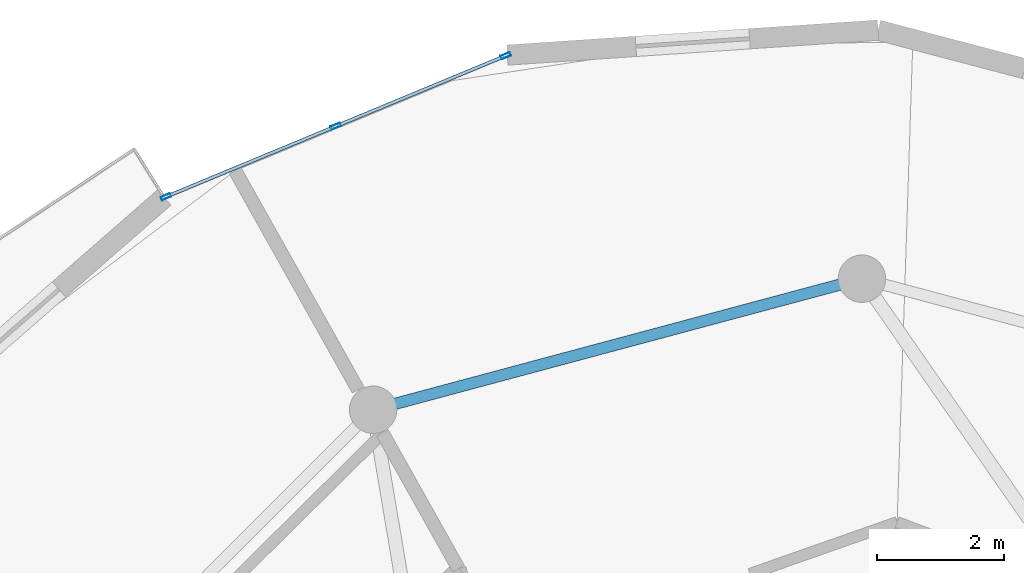
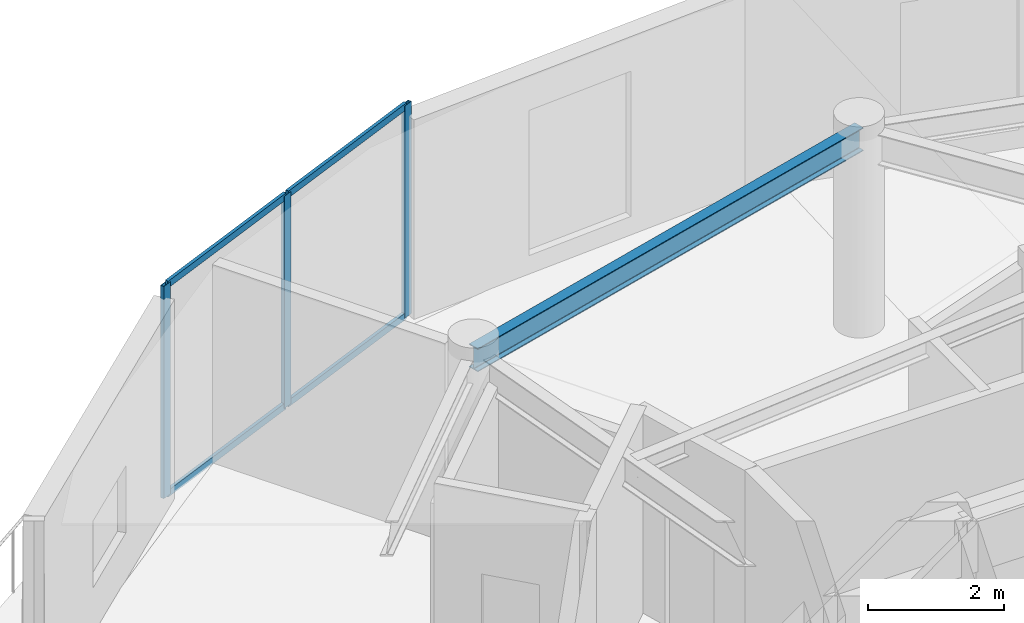
# One storey, part 9 of 17: 7 members, 1 beam, 1 element without a shape of its own.
"""IFC4 building model written with IfcOpenShell, lengths in metres."""

from ifc_helpers import new_model, si_unit, direction, frame, origin, origin_2d, place, context, subcontext, project, spatial, hollow_rectangle, i_section, extrude, source, transform, mapped, material, layer, layer_set, material_profile, profile_set, type_object, element, aggregate, save


model = new_model("IFC4")

# Units and contexts
model_context = context("Model", 3, precision=1e-05, world=origin(), true_north=direction((0.0, 1.0)))
body_context = subcontext(model_context, "Body", "Model", "MODEL_VIEW")
ifc_project = project(units=[si_unit("LENGTHUNIT", "METRE"), si_unit("AREAUNIT", "SQUARE_METRE"), si_unit("VOLUMEUNIT", "CUBIC_METRE"), si_unit("PLANEANGLEUNIT", "RADIAN"), si_unit("MASSUNIT", "GRAM", prefix="KILO")], contexts=[model_context])

# Site, building, storey
site_placement = place(None, origin())
site = spatial("IfcSite", under=ifc_project, at=site_placement, CompositionType="ELEMENT")
building_placement = place(site_placement, origin())
building = spatial("IfcBuilding", under=site, at=building_placement, Name="Solvirekh Grand Hotel", CompositionType="ELEMENT")
storey_placement = place(building_placement, frame((0.0, 0.0, 246.800048828125)))
storey = spatial("IfcBuildingStorey", under=building, at=storey_placement, Name="L64", CompositionType="ELEMENT", Elevation=246.800048828125)

# Beam
ifc_material_1 = material(Name="Steel S355", Category="steel")
ifc_material_profile_1 = material_profile(ifc_material_1, i_section(OverallWidth=0.180908203125, OverallDepth=0.4169921875, WebThickness=0.010009765625, FlangeThickness=0.01611328125, FilletRadius=0.011962890625, at=origin_2d()), Name="W410X85")
ifc_profile_set_1 = profile_set([ifc_material_profile_1], Name="Steel S355")
beam_type = type_object("IfcBeamType", Name="Spandrel_Ring_W410", PredefinedType="SPANDREL", material=ifc_profile_set_1)
beam_placement = place(storey_placement, frame((0.0, 15.449951171875, 3.362060546875), z_axis=(-0.965921616143, -0.258834757072, 0.0), x_axis=(0.258834757072, -0.965921616143, 0.0)))
element("IfcBeam", 1, at=beam_placement, inside=storey, type_object=beam_type, Name="L64 perimeter spandrel beam 4", PredefinedType="SPANDREL", context=body_context, shape_type="SweptSolid", body=[
    extrude(i_section(OverallWidth=0.180908203125, OverallDepth=0.4169921875, WebThickness=0.010009765625, FlangeThickness=0.01611328125, FilletRadius=0.011962890625, at=origin_2d()), origin(), (0.0, 0.0, 1.0), 7.99755859375),
])

# Curtain wall, members
ifc_material_2 = material(Name="Anodized Bronze Aluminium 6063-T6", Category="aluminium")
ifc_layer = layer(ifc_material_2, 0.159912109375)
ifc_layer_set = layer_set([ifc_layer], Name="Anodized Bronze Aluminium 6063-T6")
curtain_wall_type = type_object("IfcCurtainWallType", Name="CW_Sys4_HighZoneFlushBronzeCW", PredefinedType="NOTDEFINED", material=ifc_layer_set)
curtain_wall_placement = place(storey_placement, origin())
curtain_wall = element("IfcCurtainWall", 2, at=curtain_wall_placement, inside=storey, type_object=curtain_wall_type, Name="L64 unitised bronze-glass curtain wall CW-L64-C11", PredefinedType="NOTDEFINED")
ifc_material_profile_2 = material_profile(ifc_material_2, hollow_rectangle(XDim=0.06005859375, YDim=0.159912109375, WallThickness=0.0048828125, at=origin_2d()), Name="ALU RHS 160X60X5")
ifc_profile_set_2 = profile_set([ifc_material_profile_2], Name="Anodized Bronze Aluminium 6063-T6")
member_type_1 = type_object("IfcMemberType", Name="CWMullion_Sys4", PredefinedType="MULLION", material=ifc_profile_set_2)
shared_shape_1 = source(origin(), body_context, "Body", "SweptSolid", [
    extrude(hollow_rectangle(XDim=0.06005859375, YDim=0.159912109375, WallThickness=0.0048828125, at=origin_2d()), origin(), (0.0, 0.0, 1.0), 3.800048828125),
])
member_1_placement = place(storey_placement, frame((-5.630615234375, 18.973388671875, 0.0), z_axis=(0.0, 0.0, 1.0), x_axis=(0.383514713871, -0.923534766126, 0.0)))
member_1 = element("IfcMember", 3, at=member_1_placement, type_object=member_type_1, Name="U04 mullion 1", PredefinedType="MULLION", context=body_context, shape_type="MappedRepresentation", body=[
    mapped(shared_shape_1, transform((0.0, 0.0, 0.0), x_axis=(1.0, 0.0, 0.0), y_axis=(0.0, 1.0, 0.0), z_axis=(0.0, 0.0, 1.0), scale=1.0)),
])
member_2_placement = place(storey_placement, frame((-8.314453125, 17.85888671875, 0.0), z_axis=(0.0, 0.0, 1.0), x_axis=(0.383514713871, -0.923534766126, 0.0)))
member_2 = element("IfcMember", 4, at=member_2_placement, type_object=member_type_1, Name="U04 mullion 2", PredefinedType="MULLION", context=body_context, shape_type="MappedRepresentation", body=[
    mapped(shared_shape_1, transform((0.0, 0.0, 0.0), x_axis=(1.0, 0.0, 0.0), y_axis=(0.0, 1.0, 0.0), z_axis=(0.0, 0.0, 1.0), scale=1.0)),
])
member_3_placement = place(storey_placement, frame((-10.998291015625, 16.744384765625, 0.0), z_axis=(0.0, 0.0, 1.0), x_axis=(0.383514713871, -0.923534766126, 0.0)))
member_3 = element("IfcMember", 5, at=member_3_placement, type_object=member_type_1, Name="U04 mullion 3", PredefinedType="MULLION", context=body_context, shape_type="MappedRepresentation", body=[
    mapped(shared_shape_1, transform((0.0, 0.0, 0.0), x_axis=(1.0, 0.0, 0.0), y_axis=(0.0, 1.0, 0.0), z_axis=(0.0, 0.0, 1.0), scale=1.0)),
])
ifc_material_profile_3 = material_profile(ifc_material_2, hollow_rectangle(XDim=0.054931640625, YDim=0.1201171875, WallThickness=0.00390625, at=origin_2d()), Name="ALU RHS 120X55X4")
ifc_profile_set_3 = profile_set([ifc_material_profile_3], Name="Anodized Bronze Aluminium 6063-T6")
member_type_2 = type_object("IfcMemberType", Name="CWTransom_Sys4", PredefinedType="USERDEFINED", material=ifc_profile_set_3)
shared_shape_2 = source(origin(), body_context, "Body", "SweptSolid", [
    extrude(hollow_rectangle(XDim=0.054931640625, YDim=0.1201171875, WallThickness=0.00390625, at=origin_2d()), origin(), (0.0, 0.0, 1.0), 2.845947265625),
])
member_4_placement = place(storey_placement, frame((-5.658447265625, 18.9619140625, 0.02734375), z_axis=(-0.923558419422, -0.383457749844, 0.0), x_axis=(0.383457749844, -0.923558419422, 0.0)))
member_4 = element("IfcMember", 6, at=member_4_placement, type_object=member_type_2, Name="U04 transom 1.1", ObjectType="TRANSOM", PredefinedType="USERDEFINED", context=body_context, shape_type="MappedRepresentation", body=[
    mapped(shared_shape_2, transform((0.0, 0.0, 0.0), x_axis=(1.0, 0.0, 0.0), y_axis=(0.0, 1.0, 0.0), z_axis=(0.0, 0.0, 1.0), scale=1.0)),
])
member_5_placement = place(storey_placement, frame((-5.658447265625, 18.9619140625, 3.7724609375), z_axis=(-0.923558419422, -0.383457749844, 0.0), x_axis=(0.383457749844, -0.923558419422, 0.0)))
member_5 = element("IfcMember", 7, at=member_5_placement, type_object=member_type_2, Name="U04 transom 1.2", ObjectType="TRANSOM", PredefinedType="USERDEFINED", context=body_context, shape_type="MappedRepresentation", body=[
    mapped(shared_shape_2, transform((0.0, 0.0, 0.0), x_axis=(1.0, 0.0, 0.0), y_axis=(0.0, 1.0, 0.0), z_axis=(0.0, 0.0, 1.0), scale=1.0)),
])
member_6_placement = place(storey_placement, frame((-8.34228515625, 17.847412109375, 0.02734375), z_axis=(-0.923558419422, -0.383457749844, 0.0), x_axis=(0.383457749844, -0.923558419422, 0.0)))
member_6 = element("IfcMember", 8, at=member_6_placement, type_object=member_type_2, Name="U04 transom 2.1", ObjectType="TRANSOM", PredefinedType="USERDEFINED", context=body_context, shape_type="MappedRepresentation", body=[
    mapped(shared_shape_2, transform((0.0, 0.0, 0.0), x_axis=(1.0, 0.0, 0.0), y_axis=(0.0, 1.0, 0.0), z_axis=(0.0, 0.0, 1.0), scale=1.0)),
])
member_7_placement = place(storey_placement, frame((-8.34228515625, 17.847412109375, 3.7724609375), z_axis=(-0.923558419422, -0.383457749844, 0.0), x_axis=(0.383457749844, -0.923558419422, 0.0)))
member_7 = element("IfcMember", 9, at=member_7_placement, type_object=member_type_2, Name="U04 transom 2.2", ObjectType="TRANSOM", PredefinedType="USERDEFINED", context=body_context, shape_type="MappedRepresentation", body=[
    mapped(shared_shape_2, transform((0.0, 0.0, 0.0), x_axis=(1.0, 0.0, 0.0), y_axis=(0.0, 1.0, 0.0), z_axis=(0.0, 0.0, 1.0), scale=1.0)),
])
aggregate(curtain_wall, [member_1, member_2, member_3, member_4, member_5, member_6, member_7])

save(model, "model.ifc")
